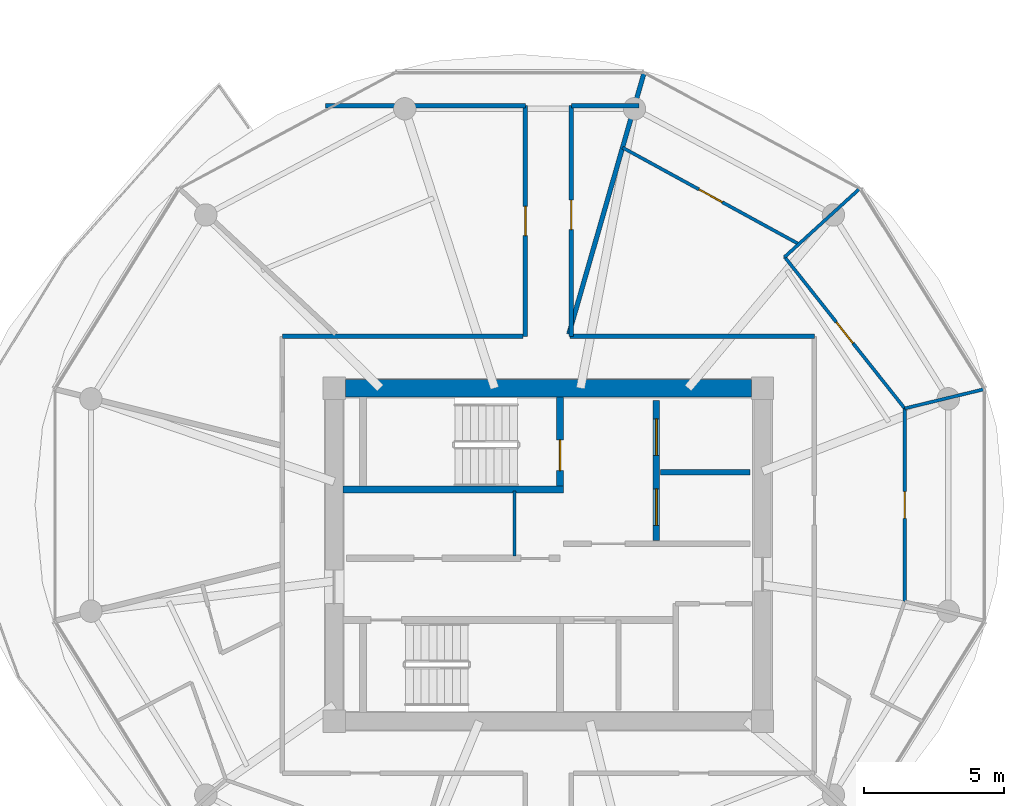
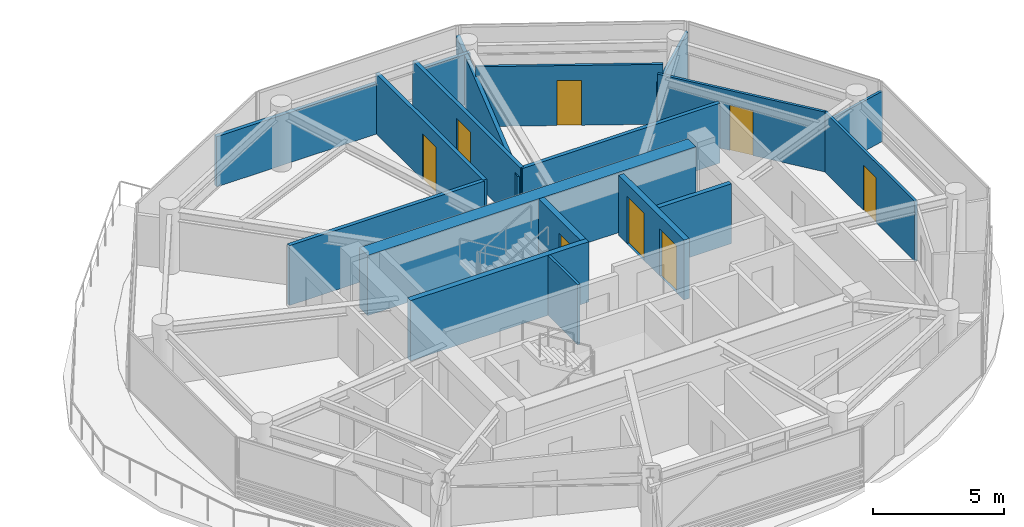
# One storey, part 17 of 22: 18 walls, 8 doors, 8 openings.
"""IFC4 building model written with IfcOpenShell, lengths in metres."""

from ifc_helpers import new_model, si_unit, direction, frame, frame_2d, origin, place, context, subcontext, project, spatial, rectangle, extrude, source, transform, mapped, material, layer, layer_set, type_object, type_shapes, element, fill, save


model = new_model("IFC4")

# Units and contexts
model_context = context("Model", 3, precision=1e-05, world=origin(), true_north=direction((0.0, 1.0)))
body_context = subcontext(model_context, "Body", "Model", "MODEL_VIEW")
ifc_project = project(units=[si_unit("LENGTHUNIT", "METRE"), si_unit("AREAUNIT", "SQUARE_METRE"), si_unit("VOLUMEUNIT", "CUBIC_METRE"), si_unit("PLANEANGLEUNIT", "RADIAN"), si_unit("MASSUNIT", "GRAM", prefix="KILO")], contexts=[model_context])

# Site, building, storey
site_placement = place(None, origin())
site = spatial("IfcSite", under=ifc_project, at=site_placement, CompositionType="ELEMENT")
building_placement = place(site_placement, origin())
building = spatial("IfcBuilding", under=site, at=building_placement, Name="Norrkilde Senior Care Towers", CompositionType="ELEMENT")
storey_placement = place(building_placement, frame((0.0, 0.0, 137.35009765625)))
storey = spatial("IfcBuildingStorey", under=building, at=storey_placement, Name="L42", CompositionType="ELEMENT", Elevation=137.35009765625)

# Wall
ifc_material_1 = material(Name="Concrete C50/60", Category="concrete")
ifc_layer_1 = layer(ifc_material_1, 0.6201171875)
ifc_layer_set_1 = layer_set([ifc_layer_1], Name="Concrete C50/60")
wall_type_1 = type_object("IfcWallType", Name="Core Shear Wall Z3 620", PredefinedType="SHEAR", material=ifc_layer_set_1)
shared_shape_1 = source(origin(), body_context, "Body", "SweptSolid", [
    extrude(rectangle(XDim=14.5, YDim=0.6201171875, at=frame_2d((7.25, 0.0))), origin(), (0.0, 0.0, 1.0), 2.809814453125),
])
type_shapes(wall_type_1, [shared_shape_1])
wall_1_placement = place(storey_placement, frame((20.75, 5.949951171875, 0.0), z_axis=(0.0, 0.0, 1.0), x_axis=(1.0, 0.0, 0.0)))
element("IfcWall", 1, at=wall_1_placement, inside=storey, type_object=wall_type_1, Name="L42 Core E North Shear Wall", PredefinedType="SHEAR", context=body_context, shape_type="MappedRepresentation", body=[
    mapped(shared_shape_1, transform((0.0, 0.0, 0.0), x_axis=(1.0, 0.0, 0.0), y_axis=(0.0, 1.0, 0.0), z_axis=(0.0, 0.0, 1.0), scale=1.0)),
])

# Wall, openings, doors
ifc_material_2 = material(Name="Concrete C45/55", Category="concrete")
ifc_layer_2 = layer(ifc_material_2, 0.239990234375)
ifc_layer_set_2 = layer_set([ifc_layer_2], Name="Concrete C45/55")
wall_type_2 = type_object("IfcWallType", Name="Lift and Plant Rated Enclosure Partition 240", PredefinedType="PARTITIONING", material=ifc_layer_set_2)
shared_shape_2 = source(origin(), body_context, "Body", "SweptSolid", [
    extrude(rectangle(XDim=5.0, YDim=0.239990234375, at=frame_2d((2.5, 0.0))), origin(), (0.0, 0.0, 1.0), 2.794921875),
])
type_shapes(wall_type_2, [shared_shape_2])
wall_2_placement = place(storey_placement, frame((31.860107421875, 0.5, 0.0), z_axis=(0.0, 0.0, 1.0), x_axis=(0.0, 1.0, 0.0)))
wall_2 = element("IfcWall", 2, at=wall_2_placement, inside=storey, type_object=wall_type_2, Name="WL-INT-L42-E-FFLE", PredefinedType="PARTITIONING", context=body_context, shape_type="MappedRepresentation", body=[
    mapped(shared_shape_2, transform((0.0, 0.0, 0.0), x_axis=(1.0, 0.0, 0.0), y_axis=(0.0, 1.0, 0.0), z_axis=(0.0, 0.0, 1.0), scale=1.0)),
])
opening_1_placement = place(wall_2_placement, frame((3.050048828125, 0.0, 0.0)))
opening_1 = element("IfcOpeningElement", 3, at=opening_1_placement, cuts=wall_2, Name="Opening LD-02", PredefinedType="OPENING", context=body_context, shape_type="SweptSolid", body=[
    extrude(rectangle(XDim=1.300048828125, YDim=2.199951171875, at=frame_2d((0.64990234375, 1.10009765625))), frame((0.0, 0.1298828125, 0.0), z_axis=(0.0, -1.0, 0.0), x_axis=(1.0, 0.0, 0.0)), (0.0, 0.0, 1.0), 0.260009765625),
])
opening_2_placement = place(wall_2_placement, frame((0.550048828125, 0.0, 0.0)))
opening_2 = element("IfcOpeningElement", 4, at=opening_2_placement, cuts=wall_2, Name="Opening LD-02", PredefinedType="OPENING", context=body_context, shape_type="SweptSolid", body=[
    extrude(rectangle(XDim=1.300048828125, YDim=2.199951171875, at=frame_2d((0.64990234375, 1.10009765625))), frame((0.0, 0.1298828125, 0.0), z_axis=(0.0, -1.0, 0.0), x_axis=(1.0, 0.0, 0.0)), (0.0, 0.0, 1.0), 0.260009765625),
])
ifc_material_3 = material(Name="Stainless Steel", Category="steel")
door_type_1 = type_object("IfcDoorType", Name="Stretcher and FFL Landing Sliding Door 1300x2200", OperationType="NOTDEFINED", PredefinedType="DOOR", material=ifc_material_3)
shared_shape_3 = source(origin(), body_context, "Body", "SweptSolid", [
    extrude(rectangle(XDim=1.300048828125, YDim=2.199951171875, at=frame_2d((0.64990234375, 1.10009765625))), frame((0.0, 0.02490234375, 0.0), z_axis=(0.0, -1.0, 0.0), x_axis=(1.0, 0.0, 0.0)), (0.0, 0.0, 1.0), 0.050048828125),
])
type_shapes(door_type_1, [shared_shape_3])
door_1_placement = place(opening_1_placement, origin())
door_1 = element("IfcDoor", 5, at=door_1_placement, inside=storey, type_object=door_type_1, Name="L42 Firefighting Lift E1 Landing Door", OperationType="SLIDING_TO_LEFT", OverallHeight=2.199951171875, OverallWidth=1.300048828125, PredefinedType="DOOR", context=body_context, shape_type="MappedRepresentation", body=[
    mapped(shared_shape_3, transform((0.0, 0.0, 0.0), x_axis=(1.0, 0.0, 0.0), y_axis=(0.0, 1.0, 0.0), z_axis=(0.0, 0.0, 1.0), scale=1.0)),
])
fill(opening_1, door_1)
door_2_placement = place(opening_2_placement, origin())
door_2 = element("IfcDoor", 6, at=door_2_placement, inside=storey, type_object=door_type_1, Name="L42 Stretcher Lift E1 Landing Door", OperationType="SLIDING_TO_RIGHT", OverallHeight=2.199951171875, OverallWidth=1.300048828125, PredefinedType="DOOR", context=body_context, shape_type="MappedRepresentation", body=[
    mapped(shared_shape_3, transform((0.0, 0.0, 0.0), x_axis=(1.0, 0.0, 0.0), y_axis=(0.0, 1.0, 0.0), z_axis=(0.0, 0.0, 1.0), scale=1.0)),
])
fill(opening_2, door_2)

# Walls
ifc_layer_3 = layer(ifc_material_2, 0.199951171875)
ifc_layer_set_3 = layer_set([ifc_layer_3], Name="Concrete C45/55")
wall_type_3 = type_object("IfcWallType", Name="Shaft Division and Plant Partition 200", PredefinedType="PARTITIONING", material=ifc_layer_set_3)
shared_shape_4 = source(origin(), body_context, "Body", "SweptSolid", [
    extrude(rectangle(XDim=3.199951171875, YDim=0.199951171875, at=frame_2d((1.60009765625, 0.0))), origin(), (0.0, 0.0, 1.0), 2.794921875),
])
type_shapes(wall_type_3, [shared_shape_4])
wall_3_placement = place(storey_placement, frame((32.0, 2.949951171875, 0.0), z_axis=(0.0, 0.0, 1.0), x_axis=(1.0, 0.0, 0.0)))
element("IfcWall", 7, at=wall_3_placement, inside=storey, type_object=wall_type_3, Name="WL-INT-L42-E-FFLDIV", PredefinedType="PARTITIONING", context=body_context, shape_type="MappedRepresentation", body=[
    mapped(shared_shape_4, transform((0.0, 0.0, 0.0), x_axis=(1.0, 0.0, 0.0), y_axis=(0.0, 1.0, 0.0), z_axis=(0.0, 0.0, 1.0), scale=1.0)),
])
ifc_material_4 = material(Name="Gypsum Acoustic Board")
ifc_layer_4 = layer(ifc_material_4, 0.114990234375)
ifc_layer_set_4 = layer_set([ifc_layer_4], Name="Gypsum Acoustic Board")
wall_type_4 = type_object("IfcWallType", Name="Internal Room Partition 115", PredefinedType="PARTITIONING", material=ifc_layer_set_4)
shared_shape_5 = source(origin(), body_context, "Body", "SweptSolid", [
    extrude(rectangle(XDim=2.330078125, YDim=0.114990234375, at=frame_2d((1.1650390625, 0.0))), origin(), (0.0, 0.0, 1.0), 2.794921875),
])
wall_4_placement = place(storey_placement, frame((26.7900390625, -0.050048828125, 0.0), z_axis=(0.0, 0.0, 1.0), x_axis=(0.0, 1.0, 0.0)))
element("IfcWall", 8, at=wall_4_placement, inside=storey, type_object=wall_type_4, Name="WL-INT-L42-E-RISW", PredefinedType="PARTITIONING", context=body_context, shape_type="MappedRepresentation", body=[
    mapped(shared_shape_5, transform((0.0, 0.0, 0.0), x_axis=(1.0, 0.0, 0.0), y_axis=(0.0, 1.0, 0.0), z_axis=(0.0, 0.0, 1.0), scale=1.0)),
])
ifc_layer_5 = layer(ifc_material_4, 0.1650390625)
ifc_layer_set_5 = layer_set([ifc_layer_5], Name="Gypsum Acoustic Board")
wall_type_5 = type_object("IfcWallType", Name="Corridor Rated Partition 165", PredefinedType="PARTITIONING", material=ifc_layer_set_5)
shared_shape_6 = source(origin(), body_context, "Body", "SweptSolid", [
    extrude(rectangle(XDim=8.60009765625, YDim=0.1650390625, at=frame_2d((4.300048828125, 0.0))), origin(), (0.0, 0.0, 1.0), 2.794921875),
])
wall_5_placement = place(storey_placement, frame((18.5, 7.800048828125, 0.0), z_axis=(0.0, 0.0, 1.0), x_axis=(1.0, 0.0, 0.0)))
element("IfcWall", 9, at=wall_5_placement, inside=storey, type_object=wall_type_5, Name="WL-INT-L42-E-CRW-N-0", PredefinedType="PARTITIONING", context=body_context, shape_type="MappedRepresentation", body=[
    mapped(shared_shape_6, transform((0.0, 0.0, 0.0), x_axis=(1.0, 0.0, 0.0), y_axis=(0.0, 1.0, 0.0), z_axis=(0.0, 0.0, 1.0), scale=1.0)),
])
shared_shape_7 = source(origin(), body_context, "Body", "SweptSolid", [
    extrude(rectangle(XDim=9.73046875, YDim=0.1650390625, at=frame_2d((4.865234375, 0.0))), origin(), (0.0, 0.0, 1.0), 2.344970703125),
])
wall_6_placement = place(storey_placement, frame((28.7333984375, 7.8798828125, 0.0), z_axis=(0.0, 0.0, 1.0), x_axis=(0.27679492614, 0.960929013436, 0.0)))
element("IfcWall", 10, at=wall_6_placement, inside=storey, type_object=wall_type_5, Name="WL-INT-L42-E-DEM-02-0", PredefinedType="PARTITIONING", context=body_context, shape_type="MappedRepresentation", body=[
    mapped(shared_shape_7, transform((0.0, 0.0, 0.0), x_axis=(1.0, 0.0, 0.0), y_axis=(0.0, 1.0, 0.0), z_axis=(0.0, 0.0, 1.0), scale=1.0)),
])

# Wall, opening, door
shared_shape_8 = source(origin(), body_context, "Body", "SweptSolid", [
    extrude(rectangle(XDim=8.2353515625, YDim=0.1650390625, at=frame_2d((4.11767578125, 0.0))), origin(), (0.0, 0.0, 1.0), 2.794921875),
])
wall_7_placement = place(storey_placement, frame((27.179931640625, 7.800048828125, 0.0), z_axis=(0.0, 0.0, 1.0), x_axis=(0.0, 1.0, 0.0)))
wall_7 = element("IfcWall", 11, at=wall_7_placement, inside=storey, type_object=wall_type_5, Name="WL-INT-L42-E-PKW-NWL", PredefinedType="PARTITIONING", context=body_context, shape_type="MappedRepresentation", body=[
    mapped(shared_shape_8, transform((0.0, 0.0, 0.0), x_axis=(1.0, 0.0, 0.0), y_axis=(0.0, 1.0, 0.0), z_axis=(0.0, 0.0, 1.0), scale=1.0)),
])
opening_3_placement = place(wall_7_placement, frame((3.5927734375, 0.0, 0.0)))
opening_3 = element("IfcOpeningElement", 12, at=opening_3_placement, cuts=wall_7, Name="Opening D-06", PredefinedType="OPENING", context=body_context, shape_type="SweptSolid", body=[
    extrude(rectangle(XDim=1.050048828125, YDim=2.14990234375, at=frame_2d((0.52490234375, 1.074951171875))), frame((0.0, 0.092529296875, 0.0), z_axis=(0.0, -1.0, 0.0), x_axis=(1.0, 0.0, 0.0)), (0.0, 0.0, 1.0), 0.18505859375),
])
ifc_material_5 = material(Name="Nordic Ash Timber", Category="wood")
door_type_2 = type_object("IfcDoorType", Name="Apartment Entrance Fire Door 1050x2150", OperationType="NOTDEFINED", PredefinedType="DOOR", material=ifc_material_5)
shared_shape_9 = source(origin(), body_context, "Body", "SweptSolid", [
    extrude(rectangle(XDim=1.050048828125, YDim=2.14990234375, at=frame_2d((0.52490234375, 1.074951171875))), frame((0.0, 0.02490234375, 0.0), z_axis=(0.0, -1.0, 0.0), x_axis=(1.0, 0.0, 0.0)), (0.0, 0.0, 1.0), 0.050048828125),
])
type_shapes(door_type_2, [shared_shape_9])
door_3_placement = place(opening_3_placement, frame((1.050048828125, 0.0, 0.0), z_axis=(0.0, 0.0, 1.0), x_axis=(-1.0, 0.0, 0.0)))
door_3 = element("IfcDoor", 13, at=door_3_placement, inside=storey, type_object=door_type_2, Name="L42 Reading Lounge NWL Door", OperationType="SINGLE_SWING_RIGHT", OverallHeight=2.14990234375, OverallWidth=1.050048828125, PredefinedType="DOOR", context=body_context, shape_type="MappedRepresentation", body=[
    mapped(shared_shape_9, transform((0.0, 0.0, 0.0), x_axis=(1.0, 0.0, 0.0), y_axis=(0.0, 1.0, 0.0), z_axis=(0.0, 0.0, 1.0), scale=1.0)),
])
fill(opening_3, door_3)

wall_8_placement = place(storey_placement, frame((28.820068359375, 7.800048828125, 0.0), z_axis=(0.0, 0.0, 1.0), x_axis=(0.0, 1.0, 0.0)))
wall_8 = element("IfcWall", 14, at=wall_8_placement, inside=storey, type_object=wall_type_5, Name="WL-INT-L42-E-PKW-NEL", PredefinedType="PARTITIONING", context=body_context, shape_type="MappedRepresentation", body=[
    mapped(shared_shape_8, transform((0.0, 0.0, 0.0), x_axis=(1.0, 0.0, 0.0), y_axis=(0.0, 1.0, 0.0), z_axis=(0.0, 0.0, 1.0), scale=1.0)),
])
opening_4_placement = place(wall_8_placement, frame((3.81298828125, 0.0, 0.0)))
opening_4 = element("IfcOpeningElement", 15, at=opening_4_placement, cuts=wall_8, Name="Opening D-06", PredefinedType="OPENING", context=body_context, shape_type="SweptSolid", body=[
    extrude(rectangle(XDim=1.050048828125, YDim=2.14990234375, at=frame_2d((0.52490234375, 1.074951171875))), frame((0.0, 0.092529296875, 0.0), z_axis=(0.0, -1.0, 0.0), x_axis=(1.0, 0.0, 0.0)), (0.0, 0.0, 1.0), 0.18505859375),
])
door_4_placement = place(opening_4_placement, frame((1.050048828125, 0.0, 0.0), z_axis=(0.0, 0.0, 1.0), x_axis=(-1.0, 0.0, 0.0)))
door_4 = element("IfcDoor", 16, at=door_4_placement, inside=storey, type_object=door_type_2, Name="L42 Reading Lounge NEL Door", OperationType="SINGLE_SWING_RIGHT", OverallHeight=2.14990234375, OverallWidth=1.050048828125, PredefinedType="DOOR", context=body_context, shape_type="MappedRepresentation", body=[
    mapped(shared_shape_9, transform((0.0, 0.0, 0.0), x_axis=(1.0, 0.0, 0.0), y_axis=(0.0, 1.0, 0.0), z_axis=(0.0, 0.0, 1.0), scale=1.0)),
])
fill(opening_4, door_4)

# Walls
shared_shape_10 = source(origin(), body_context, "Body", "SweptSolid", [
    extrude(rectangle(XDim=2.418701171875, YDim=0.1650390625, at=frame_2d((1.20947265625, 0.0))), origin(), (0.0, 0.0, 1.0), 2.344970703125),
])
wall_9_placement = place(storey_placement, frame((28.820068359375, 16.035400390625, 0.0), z_axis=(0.0, 0.0, 1.0), x_axis=(1.0, 0.0, 0.0)))
element("IfcWall", 17, at=wall_9_placement, inside=storey, type_object=wall_type_5, Name="WL-INT-L42-E-PKH-NEL-0", PredefinedType="PARTITIONING", context=body_context, shape_type="MappedRepresentation", body=[
    mapped(shared_shape_10, transform((0.0, 0.0, 0.0), x_axis=(1.0, 0.0, 0.0), y_axis=(0.0, 1.0, 0.0), z_axis=(0.0, 0.0, 1.0), scale=1.0)),
])
shared_shape_11 = source(origin(), body_context, "Body", "SweptSolid", [
    extrude(rectangle(XDim=7.138916015625, YDim=0.1650390625, at=frame_2d((3.5693359375, 0.0))), origin(), (0.0, 0.0, 1.0), 2.344970703125),
])
wall_10_placement = place(storey_placement, frame((20.041015625, 16.035400390625, 0.0), z_axis=(0.0, 0.0, 1.0), x_axis=(1.0, 0.0, 0.0)))
element("IfcWall", 18, at=wall_10_placement, inside=storey, type_object=wall_type_5, Name="WL-INT-L42-E-PKH-NWL-0", PredefinedType="PARTITIONING", context=body_context, shape_type="MappedRepresentation", body=[
    mapped(shared_shape_11, transform((0.0, 0.0, 0.0), x_axis=(1.0, 0.0, 0.0), y_axis=(0.0, 1.0, 0.0), z_axis=(0.0, 0.0, 1.0), scale=1.0)),
])
shared_shape_12 = source(origin(), body_context, "Body", "SweptSolid", [
    extrude(rectangle(XDim=8.719482421875, YDim=0.1650390625, at=frame_2d((4.35986328125, 0.0))), origin(), (0.0, 0.0, 1.0), 2.794921875),
])
type_shapes(wall_type_5, [shared_shape_6, shared_shape_7, shared_shape_8, shared_shape_10, shared_shape_11, shared_shape_12])
wall_11_placement = place(storey_placement, frame((28.780517578125, 7.800048828125, 0.0), z_axis=(0.0, 0.0, 1.0), x_axis=(1.0, 0.0, 0.0)))
element("IfcWall", 19, at=wall_11_placement, inside=storey, type_object=wall_type_5, Name="WL-INT-L42-E-CRW-N-1", PredefinedType="PARTITIONING", context=body_context, shape_type="MappedRepresentation", body=[
    mapped(shared_shape_12, transform((0.0, 0.0, 0.0), x_axis=(1.0, 0.0, 0.0), y_axis=(0.0, 1.0, 0.0), z_axis=(0.0, 0.0, 1.0), scale=1.0)),
])

# Wall, opening, door
shared_shape_13 = source(origin(), body_context, "Body", "SweptSolid", [
    extrude(rectangle(XDim=6.89697265625, YDim=0.114990234375, at=frame_2d((3.448486328125, 0.0))), origin(), (0.0, 0.0, 1.0), 2.794921875),
])
wall_12_placement = place(storey_placement, frame((40.73046875, -1.673095703125, 0.0), z_axis=(0.0, 0.0, 1.0), x_axis=(0.0, 1.0, 0.0)))
wall_12 = element("IfcWall", 20, at=wall_12_placement, inside=storey, type_object=wall_type_4, Name="WL-INT-L42-E-UBC-10-1", PredefinedType="PARTITIONING", context=body_context, shape_type="MappedRepresentation", body=[
    mapped(shared_shape_13, transform((0.0, 0.0, 0.0), x_axis=(1.0, 0.0, 0.0), y_axis=(0.0, 1.0, 0.0), z_axis=(0.0, 0.0, 1.0), scale=1.0)),
])
opening_5_placement = place(wall_12_placement, frame((2.973388671875, 0.0, 0.0)))
opening_5 = element("IfcOpeningElement", 21, at=opening_5_placement, cuts=wall_12, Name="Opening D-07", PredefinedType="OPENING", context=body_context, shape_type="SweptSolid", body=[
    extrude(rectangle(XDim=0.949951171875, YDim=2.10009765625, at=frame_2d((0.47509765625, 1.050048828125))), frame((0.0, 0.0673828125, 0.0), z_axis=(0.0, -1.0, 0.0), x_axis=(1.0, 0.0, 0.0)), (0.0, 0.0, 1.0), 0.135009765625),
])
door_type_3 = type_object("IfcDoorType", Name="Internal Suite Bedroom Door 950x2100", OperationType="NOTDEFINED", PredefinedType="DOOR", material=ifc_material_5)
shared_shape_14 = source(origin(), body_context, "Body", "SweptSolid", [
    extrude(rectangle(XDim=0.949951171875, YDim=2.10009765625, at=frame_2d((0.47509765625, 1.050048828125))), frame((0.0, 0.02490234375, 0.0), z_axis=(0.0, -1.0, 0.0), x_axis=(1.0, 0.0, 0.0)), (0.0, 0.0, 1.0), 0.050048828125),
])
type_shapes(door_type_3, [shared_shape_14])
door_5_placement = place(opening_5_placement, origin())
door_5 = element("IfcDoor", 22, at=door_5_placement, inside=storey, type_object=door_type_3, Name="Apartment 42D Bedroom 1 Door", OperationType="SINGLE_SWING_RIGHT", OverallHeight=2.10009765625, OverallWidth=0.949951171875, PredefinedType="DOOR", context=body_context, shape_type="MappedRepresentation", body=[
    mapped(shared_shape_14, transform((0.0, 0.0, 0.0), x_axis=(1.0, 0.0, 0.0), y_axis=(0.0, 1.0, 0.0), z_axis=(0.0, 0.0, 1.0), scale=1.0)),
])
fill(opening_5, door_5)

shared_shape_15 = source(origin(), body_context, "Body", "SweptSolid", [
    extrude(rectangle(XDim=6.902099609375, YDim=0.114990234375, at=frame_2d((3.451171875, 0.0))), origin(), (0.0, 0.0, 1.0), 2.794921875),
])
wall_13_placement = place(storey_placement, frame((40.72900390625, 5.223388671875, 0.0), z_axis=(0.0, 0.0, 1.0), x_axis=(-0.62123371778, 0.783625336429, 0.0)))
wall_13 = element("IfcWall", 23, at=wall_13_placement, inside=storey, type_object=wall_type_4, Name="WL-INT-L42-E-UBC-10-2", PredefinedType="PARTITIONING", context=body_context, shape_type="MappedRepresentation", body=[
    mapped(shared_shape_15, transform((0.0, 0.0, 0.0), x_axis=(1.0, 0.0, 0.0), y_axis=(0.0, 1.0, 0.0), z_axis=(0.0, 0.0, 1.0), scale=1.0)),
])
opening_6_placement = place(wall_13_placement, frame((2.97607421875, 0.0, 0.0)))
opening_6 = element("IfcOpeningElement", 24, at=opening_6_placement, cuts=wall_13, Name="Opening D-07", PredefinedType="OPENING", context=body_context, shape_type="SweptSolid", body=[
    extrude(rectangle(XDim=0.949951171875, YDim=2.10009765625, at=frame_2d((0.47509765625, 1.050048828125))), frame((0.0, 0.0673828125, 0.0), z_axis=(0.0, -1.0, 0.0), x_axis=(1.0, 0.0, 0.0)), (0.0, 0.0, 1.0), 0.135009765625),
])
door_6_placement = place(opening_6_placement, frame((0.949951171875, 0.0, 0.0), z_axis=(0.0, 0.0, 1.0), x_axis=(-1.0, 0.0, 0.0)))
door_6 = element("IfcDoor", 25, at=door_6_placement, inside=storey, type_object=door_type_3, Name="Apartment 42D Bedroom 2 Door", OperationType="SINGLE_SWING_LEFT", OverallHeight=2.10009765625, OverallWidth=0.949951171875, PredefinedType="DOOR", context=body_context, shape_type="MappedRepresentation", body=[
    mapped(shared_shape_14, transform((0.0, 0.0, 0.0), x_axis=(1.0, 0.0, 0.0), y_axis=(0.0, 1.0, 0.0), z_axis=(0.0, 0.0, 1.0), scale=1.0)),
])
fill(opening_6, door_6)

# Wall
shared_shape_16 = source(origin(), body_context, "Body", "SweptSolid", [
    extrude(rectangle(XDim=2.942626953125, YDim=0.114990234375, at=frame_2d((1.47119140625, 0.0))), origin(), (0.0, 0.0, 1.0), 2.344970703125),
])
wall_14_placement = place(storey_placement, frame((40.72900390625, 5.223388671875, 0.0), z_axis=(0.0, 0.0, 1.0), x_axis=(0.971864495214, 0.235540660911, 0.0)))
element("IfcWall", 26, at=wall_14_placement, inside=storey, type_object=wall_type_4, Name="WL-INT-L42-E-UBR-10-2", PredefinedType="PARTITIONING", context=body_context, shape_type="MappedRepresentation", body=[
    mapped(shared_shape_16, transform((0.0, 0.0, 0.0), x_axis=(1.0, 0.0, 0.0), y_axis=(0.0, 1.0, 0.0), z_axis=(0.0, 0.0, 1.0), scale=1.0)),
])

# Wall, opening, door
shared_shape_17 = source(origin(), body_context, "Body", "SweptSolid", [
    extrude(rectangle(XDim=7.166748046875, YDim=0.114990234375, at=frame_2d((3.58349609375, 0.0))), origin(), (0.0, 0.0, 1.0), 2.794921875),
])
wall_15_placement = place(storey_placement, frame((36.93896484375, 11.097900390625, 0.0), z_axis=(0.0, 0.0, 1.0), x_axis=(-0.8771628907, 0.480192943699, 0.0)))
wall_15 = element("IfcWall", 27, at=wall_15_placement, inside=storey, type_object=wall_type_4, Name="WL-INT-L42-E-UBC-10-3", PredefinedType="PARTITIONING", context=body_context, shape_type="MappedRepresentation", body=[
    mapped(shared_shape_17, transform((0.0, 0.0, 0.0), x_axis=(1.0, 0.0, 0.0), y_axis=(0.0, 1.0, 0.0), z_axis=(0.0, 0.0, 1.0), scale=1.0)),
])
opening_7_placement = place(wall_15_placement, frame((3.1083984375, 0.0, 0.0)))
opening_7 = element("IfcOpeningElement", 28, at=opening_7_placement, cuts=wall_15, Name="Opening D-07", PredefinedType="OPENING", context=body_context, shape_type="SweptSolid", body=[
    extrude(rectangle(XDim=0.949951171875, YDim=2.10009765625, at=frame_2d((0.47509765625, 1.050048828125))), frame((0.0, 0.0673828125, 0.0), z_axis=(0.0, -1.0, 0.0), x_axis=(1.0, 0.0, 0.0)), (0.0, 0.0, 1.0), 0.135009765625),
])
door_7_placement = place(opening_7_placement, origin())
door_7 = element("IfcDoor", 29, at=door_7_placement, inside=storey, type_object=door_type_3, Name="Apartment 42D Bedroom 3 Door", OperationType="SINGLE_SWING_RIGHT", OverallHeight=2.10009765625, OverallWidth=0.949951171875, PredefinedType="DOOR", context=body_context, shape_type="MappedRepresentation", body=[
    mapped(shared_shape_14, transform((0.0, 0.0, 0.0), x_axis=(1.0, 0.0, 0.0), y_axis=(0.0, 1.0, 0.0), z_axis=(0.0, 0.0, 1.0), scale=1.0)),
])
fill(opening_7, door_7)

# Walls
shared_shape_18 = source(origin(), body_context, "Body", "SweptSolid", [
    extrude(rectangle(XDim=3.660400390625, YDim=0.114990234375, at=frame_2d((1.830078125, 0.0))), origin(), (0.0, 0.0, 1.0), 2.344970703125),
])
type_shapes(wall_type_4, [shared_shape_5, shared_shape_13, shared_shape_15, shared_shape_16, shared_shape_17, shared_shape_18])
wall_16_placement = place(storey_placement, frame((36.431884765625, 10.62353515625, 0.0), z_axis=(0.0, 0.0, 1.0), x_axis=(0.73909744987, 0.673598515137, 0.0)))
element("IfcWall", 30, at=wall_16_placement, inside=storey, type_object=wall_type_4, Name="WL-INT-L42-E-UBR-10-3", PredefinedType="PARTITIONING", context=body_context, shape_type="MappedRepresentation", body=[
    mapped(shared_shape_18, transform((0.0, 0.0, 0.0), x_axis=(1.0, 0.0, 0.0), y_axis=(0.0, 1.0, 0.0), z_axis=(0.0, 0.0, 1.0), scale=1.0)),
])
ifc_layer_6 = layer(ifc_material_2, 0.239990234375)
ifc_layer_set_6 = layer_set([ifc_layer_6], Name="Concrete C45/55")
wall_type_6 = type_object("IfcWallType", Name="Shaft and Stair Enclosure Wall 240", PredefinedType="PARTITIONING", material=ifc_layer_set_6)
shared_shape_19 = source(origin(), body_context, "Body", "SweptSolid", [
    extrude(rectangle(XDim=7.880126953125, YDim=0.239990234375, at=frame_2d((3.93994140625, 0.0))), origin(), (0.0, 0.0, 1.0), 2.809814453125),
])
wall_17_placement = place(storey_placement, frame((20.659912109375, 2.330078125, 0.0), z_axis=(0.0, 0.0, 1.0), x_axis=(1.0, 0.0, 0.0)))
element("IfcWall", 31, at=wall_17_placement, inside=storey, type_object=wall_type_6, Name="WL-INT-L42-E-ST1S", PredefinedType="PARTITIONING", context=body_context, shape_type="MappedRepresentation", body=[
    mapped(shared_shape_19, transform((0.0, 0.0, 0.0), x_axis=(1.0, 0.0, 0.0), y_axis=(0.0, 1.0, 0.0), z_axis=(0.0, 0.0, 1.0), scale=1.0)),
])

# Wall, opening, door
shared_shape_20 = source(origin(), body_context, "Body", "SweptSolid", [
    extrude(rectangle(XDim=3.18994140625, YDim=0.239990234375, at=frame_2d((1.594970703125, 0.0))), origin(), (0.0, 0.0, 1.0), 2.809814453125),
])
type_shapes(wall_type_6, [shared_shape_19, shared_shape_20])
wall_18_placement = place(storey_placement, frame((28.419921875, 2.449951171875, 0.0), z_axis=(0.0, 0.0, 1.0), x_axis=(0.0, 1.0, 0.0)))
wall_18 = element("IfcWall", 32, at=wall_18_placement, inside=storey, type_object=wall_type_6, Name="WL-INT-L42-E-ST1E", PredefinedType="PARTITIONING", context=body_context, shape_type="MappedRepresentation", body=[
    mapped(shared_shape_20, transform((0.0, 0.0, 0.0), x_axis=(1.0, 0.0, 0.0), y_axis=(0.0, 1.0, 0.0), z_axis=(0.0, 0.0, 1.0), scale=1.0)),
])
opening_8_placement = place(wall_18_placement, frame((0.550048828125, 0.0, 0.0)))
opening_8 = element("IfcOpeningElement", 33, at=opening_8_placement, cuts=wall_18, Name="Opening D-03", PredefinedType="OPENING", context=body_context, shape_type="SweptSolid", body=[
    extrude(rectangle(XDim=1.10009765625, YDim=2.14990234375, at=frame_2d((0.550048828125, 1.074951171875))), frame((0.0, 0.1298828125, 0.0), z_axis=(0.0, -1.0, 0.0), x_axis=(1.0, 0.0, 0.0)), (0.0, 0.0, 1.0), 0.260009765625),
])
ifc_material_6 = material(Name="Galvanised Painted Steel", Category="steel")
door_type_4 = type_object("IfcDoorType", Name="Stairwell Protected Fire Door 1100x2150", OperationType="NOTDEFINED", PredefinedType="DOOR", material=ifc_material_6)
shared_shape_21 = source(origin(), body_context, "Body", "SweptSolid", [
    extrude(rectangle(XDim=1.10009765625, YDim=2.14990234375, at=frame_2d((0.550048828125, 1.074951171875))), frame((0.0, 0.02490234375, 0.0), z_axis=(0.0, -1.0, 0.0), x_axis=(1.0, 0.0, 0.0)), (0.0, 0.0, 1.0), 0.050048828125),
])
type_shapes(door_type_4, [shared_shape_21])
door_8_placement = place(opening_8_placement, origin())
door_8 = element("IfcDoor", 34, at=door_8_placement, inside=storey, type_object=door_type_4, Name="L42 Stair E1 Fire Door", OperationType="SINGLE_SWING_LEFT", OverallHeight=2.14990234375, OverallWidth=1.10009765625, PredefinedType="DOOR", context=body_context, shape_type="MappedRepresentation", body=[
    mapped(shared_shape_21, transform((0.0, 0.0, 0.0), x_axis=(1.0, 0.0, 0.0), y_axis=(0.0, 1.0, 0.0), z_axis=(0.0, 0.0, 1.0), scale=1.0)),
])
fill(opening_8, door_8)

save(model, "model.ifc")
